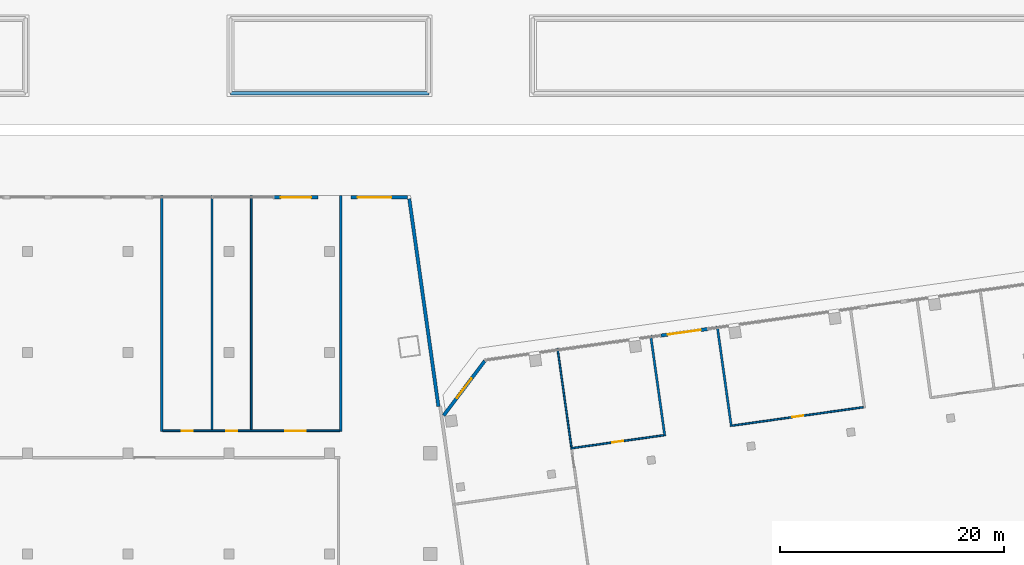
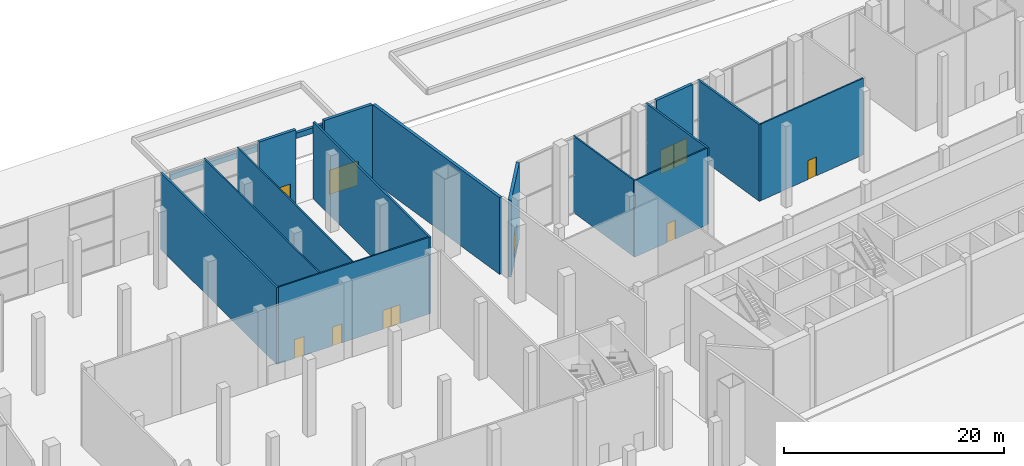
# One storey, part 26 of 34: 16 walls, 8 doors, 1 window, 9 openings.
"""IFC4 building model written with IfcOpenShell, lengths in metres."""

from ifc_helpers import new_model, si_unit, direction, frame, frame_2d, origin, place, context, subcontext, project, spatial, rectangle, extrude, material, layer, layer_set, type_object, element, fill, save


model = new_model("IFC4")

# Units and contexts
model_context = context("Model", 3, precision=1e-05, world=origin(), true_north=direction((0.0, 1.0)))
body_context = subcontext(model_context, "Body", "Model", "MODEL_VIEW")
ifc_project = project(units=[si_unit("LENGTHUNIT", "METRE"), si_unit("AREAUNIT", "SQUARE_METRE"), si_unit("VOLUMEUNIT", "CUBIC_METRE"), si_unit("PLANEANGLEUNIT", "RADIAN"), si_unit("MASSUNIT", "GRAM", prefix="KILO")], contexts=[model_context])

# Site, building, storey
site_placement = place(None, origin())
site = spatial("IfcSite", under=ifc_project, at=site_placement, CompositionType="ELEMENT")
building_placement = place(site_placement, origin())
building = spatial("IfcBuilding", under=site, at=building_placement, Name="Mirante Cascada Hotel Towers", CompositionType="ELEMENT")
storey_placement = place(building_placement, origin())
storey = spatial("IfcBuildingStorey", under=building, at=storey_placement, Name="L00", CompositionType="ELEMENT", Elevation=0.0)

# Wall, openings, doors
ifc_material_1 = material(Name="Masonry block", Category="masonry")
ifc_layer_1 = layer(ifc_material_1, 0.15)
ifc_layer_set_1 = layer_set([ifc_layer_1], Name="Corridor wall 150 block")
wall_type_1 = type_object("IfcWallType", Name="Corridor wall 150 block", PredefinedType="PARTITIONING", material=ifc_layer_set_1)
wall_1_placement = place(storey_placement, frame((3.09, 11.0, 0.0), z_axis=(0.0, 0.0, 1.0), x_axis=(1.0, 0.0, 0.0)))
wall_1 = element("IfcWall", 1, at=wall_1_placement, inside=storey, type_object=wall_type_1, Name="Corridor wall P L00", PredefinedType="PARTITIONING", context=body_context, shape_type="SweptSolid", body=[
    extrude(rectangle(XDim=15.82, YDim=0.15, at=frame_2d((7.91, 0.0))), origin(), (0.0, 0.0, 1.0), 8.5),
])
opening_1_placement = place(wall_1_placement, frame((1.705, 0.0, 0.0)))
opening_1 = element("IfcOpeningElement", 2, at=opening_1_placement, cuts=wall_1, Name="Opening DP-L00-17", PredefinedType="OPENING", context=body_context, shape_type="SweptSolid", body=[
    extrude(rectangle(XDim=1.0, YDim=2.1, at=frame_2d((0.5, 1.05))), frame((0.0, 0.075, 0.0), z_axis=(0.0, -1.0, 0.0), x_axis=(1.0, 0.0, 0.0)), (0.0, 0.0, 1.0), 0.15),
])
opening_2_placement = place(wall_1_placement, frame((5.66, 0.0, 0.0)))
opening_2 = element("IfcOpeningElement", 3, at=opening_2_placement, cuts=wall_1, Name="Opening DP-L00-18", PredefinedType="OPENING", context=body_context, shape_type="SweptSolid", body=[
    extrude(rectangle(XDim=1.0, YDim=2.1, at=frame_2d((0.5, 1.05))), frame((0.0, 0.075, 0.0), z_axis=(0.0, -1.0, 0.0), x_axis=(1.0, 0.0, 0.0)), (0.0, 0.0, 1.0), 0.15),
])
opening_3_placement = place(wall_1_placement, frame((10.965, 0.0, 0.0)))
opening_3 = element("IfcOpeningElement", 4, at=opening_3_placement, cuts=wall_1, Name="Opening DP-L00-19", PredefinedType="OPENING", context=body_context, shape_type="SweptSolid", body=[
    extrude(rectangle(XDim=1.8, YDim=2.1, at=frame_2d((0.9, 1.05))), frame((0.0, 0.075, 0.0), z_axis=(0.0, -1.0, 0.0), x_axis=(1.0, 0.0, 0.0)), (0.0, 0.0, 1.0), 0.15),
])
ifc_material_2 = material(Name="Timber door leaf", Category="wood")
door_type_1 = type_object("IfcDoorType", Name="Double door 1800x2100", OperationType="DOUBLE_DOOR_SINGLE_SWING", PredefinedType="DOOR", material=ifc_material_2)
door_1_placement = place(opening_3_placement, origin())
door_1 = element("IfcDoor", 5, at=door_1_placement, inside=storey, type_object=door_type_1, Name="Door DP-L00-19", OperationType="DOUBLE_DOOR_SINGLE_SWING", OverallHeight=2.1, OverallWidth=1.8, PredefinedType="DOOR", context=body_context, shape_type="SweptSolid", body=[
    extrude(rectangle(XDim=0.895, YDim=2.1, at=frame_2d((0.4475, 1.05))), frame((0.0, 0.025, 0.0), z_axis=(0.0, -1.0, 0.0), x_axis=(1.0, 0.0, 0.0)), (0.0, 0.0, 1.0), 0.05),
    extrude(rectangle(XDim=0.895, YDim=2.1, at=frame_2d((1.3525, 1.05))), frame((0.0, 0.025, 0.0), z_axis=(0.0, -1.0, 0.0), x_axis=(1.0, 0.0, 0.0)), (0.0, 0.0, 1.0), 0.05),
])
fill(opening_3, door_1)
ifc_material_3 = material(Name="Timber door leaf", Category="wood")
door_type_2 = type_object("IfcDoorType", Name="Single door 1000x2100", OperationType="NOTDEFINED", PredefinedType="DOOR", material=ifc_material_3)
door_2_placement = place(opening_1_placement, origin())
door_2 = element("IfcDoor", 6, at=door_2_placement, inside=storey, type_object=door_type_2, Name="Door DP-L00-17", OperationType="SINGLE_SWING_LEFT", OverallHeight=2.1, OverallWidth=1.0, PredefinedType="DOOR", context=body_context, shape_type="SweptSolid", body=[
    extrude(rectangle(XDim=1.0, YDim=2.1, at=frame_2d((0.5, 1.05))), frame((0.0, 0.025, 0.0), z_axis=(0.0, -1.0, 0.0), x_axis=(1.0, 0.0, 0.0)), (0.0, 0.0, 1.0), 0.05),
])
fill(opening_1, door_2)
door_3_placement = place(opening_2_placement, origin())
door_3 = element("IfcDoor", 7, at=door_3_placement, inside=storey, type_object=door_type_2, Name="Door DP-L00-18", OperationType="SINGLE_SWING_RIGHT", OverallHeight=2.1, OverallWidth=1.0, PredefinedType="DOOR", context=body_context, shape_type="SweptSolid", body=[
    extrude(rectangle(XDim=1.0, YDim=2.1, at=frame_2d((0.5, 1.05))), frame((0.0, 0.025, 0.0), z_axis=(0.0, -1.0, 0.0), x_axis=(1.0, 0.0, 0.0)), (0.0, 0.0, 1.0), 0.05),
])
fill(opening_2, door_3)

# Wall, opening, door
wall_2_placement = place(storey_placement, frame((39.526, 9.4371, 0.0), z_axis=(0.0, 0.0, 1.0), x_axis=(0.9902692, 0.1391653, 0.0)))
wall_2 = element("IfcWall", 8, at=wall_2_placement, inside=storey, type_object=wall_type_1, Name="Corridor wall T2 L00", PredefinedType="PARTITIONING", context=body_context, shape_type="SweptSolid", body=[
    extrude(rectangle(XDim=8.385, YDim=0.15, at=frame_2d((4.1925, 0.0))), origin(), (0.0, 0.0, 1.0), 8.5),
])
opening_4_placement = place(wall_2_placement, frame((3.73, 0.0, 0.0)))
opening_4 = element("IfcOpeningElement", 9, at=opening_4_placement, cuts=wall_2, Name="Opening DP2-L00-07", PredefinedType="OPENING", context=body_context, shape_type="SweptSolid", body=[
    extrude(rectangle(XDim=1.0, YDim=2.1, at=frame_2d((0.5, 1.05))), frame((0.0, 0.075, 0.0), z_axis=(0.0, -1.0, 0.0), x_axis=(1.0, 0.0, 0.0)), (0.0, 0.0, 1.0), 0.15),
])
door_4_placement = place(opening_4_placement, origin())
door_4 = element("IfcDoor", 10, at=door_4_placement, inside=storey, type_object=door_type_2, Name="Door DP2-L00-07", OperationType="SINGLE_SWING_LEFT", OverallHeight=2.1, OverallWidth=1.0, PredefinedType="DOOR", context=body_context, shape_type="SweptSolid", body=[
    extrude(rectangle(XDim=1.0, YDim=2.1, at=frame_2d((0.5, 1.05))), frame((0.0, 0.025, 0.0), z_axis=(0.0, -1.0, 0.0), x_axis=(1.0, 0.0, 0.0)), (0.0, 0.0, 1.0), 0.05),
])
fill(opening_4, door_4)

wall_3_placement = place(storey_placement, frame((53.9492, 11.4641, 0.0), z_axis=(0.0, 0.0, 1.0), x_axis=(0.9902684, 0.1391706, 0.0)))
wall_3 = element("IfcWall", 11, at=wall_3_placement, inside=storey, type_object=wall_type_1, Name="Corridor wall T2 L00", PredefinedType="PARTITIONING", context=body_context, shape_type="SweptSolid", body=[
    extrude(rectangle(XDim=11.82, YDim=0.15, at=frame_2d((5.91, 0.0))), origin(), (0.0, 0.0, 1.0), 8.5),
])
opening_5_placement = place(wall_3_placement, frame((5.41, 0.0, 0.0)))
opening_5 = element("IfcOpeningElement", 12, at=opening_5_placement, cuts=wall_3, Name="Opening DP2-L00-08", PredefinedType="OPENING", context=body_context, shape_type="SweptSolid", body=[
    extrude(rectangle(XDim=1.0, YDim=2.1, at=frame_2d((0.5, 1.05))), frame((0.0, 0.075, 0.0), z_axis=(0.0, -1.0, 0.0), x_axis=(1.0, 0.0, 0.0)), (0.0, 0.0, 1.0), 0.15),
])
door_5_placement = place(opening_5_placement, frame((1.0, 0.0, 0.0), z_axis=(0.0, 0.0, 1.0), x_axis=(-1.0, 0.0, 0.0)))
door_5 = element("IfcDoor", 13, at=door_5_placement, inside=storey, type_object=door_type_2, Name="Door DP2-L00-08", OperationType="SINGLE_SWING_RIGHT", OverallHeight=2.1, OverallWidth=1.0, PredefinedType="DOOR", context=body_context, shape_type="SweptSolid", body=[
    extrude(rectangle(XDim=1.0, YDim=2.1, at=frame_2d((0.5, 1.05))), frame((0.0, 0.025, 0.0), z_axis=(0.0, -1.0, 0.0), x_axis=(1.0, 0.0, 0.0)), (0.0, 0.0, 1.0), 0.05),
])
fill(opening_5, door_5)

# Walls
ifc_material_4 = material(Name="Masonry block", Category="masonry")
ifc_layer_2 = layer(ifc_material_4, 0.2)
ifc_layer_set_2 = layer_set([ifc_layer_2], Name="Hall wall 200 block")
wall_type_2 = type_object("IfcWallType", Name="Hall wall 200 block", PredefinedType="PARTITIONING", material=ifc_layer_set_2)
for number, where, z_axis, x_axis, name in (
    (14, (19.0, 10.925, 0.0), (0.0, 0.0, 1.0), (0.0, 1.0, 0.0), "Hall wall P L00"),
    (15, (3.0, 10.925, 0.0), (0.0, 0.0, 1.0), (0.0, 1.0, 0.0), "Hall wall P L00"),
):
    element("IfcWall", number, at=place(storey_placement, frame(where, z_axis=z_axis, x_axis=x_axis)), inside=storey, type_object=wall_type_2, Name=name, PredefinedType="PARTITIONING", context=body_context, shape_type="SweptSolid", body=[
        extrude(rectangle(XDim=21.075, YDim=0.2, at=frame_2d((10.5375, 0.0))), origin(), (0.0, 0.0, 1.0), 8.5),
    ])
for number, where, z_axis, x_axis, name in (
    (16, (46.6659, 19.529, 0.0), (0.0, 0.0, 1.0), (0.1391733, -0.990268, 0.0), "Hall wall T2 L00"),
    (17, (52.6075, 20.364, 0.0), (0.0, 0.0, 1.0), (0.1391733, -0.990268, 0.0), "Hall wall T2 L00"),
):
    element("IfcWall", number, at=place(storey_placement, frame(where, z_axis=z_axis, x_axis=x_axis)), inside=storey, type_object=wall_type_2, Name=name, PredefinedType="PARTITIONING", context=body_context, shape_type="SweptSolid", body=[
        extrude(rectangle(XDim=9.075, YDim=0.2, at=frame_2d((4.5375, 0.0))), origin(), (0.0, 0.0, 1.0), 8.5),
    ])
ifc_material_5 = material(Name="Masonry block", Category="masonry")
ifc_layer_3 = layer(ifc_material_5, 0.15)
ifc_layer_set_3 = layer_set([ifc_layer_3], Name="Partition 150 block")
wall_type_3 = type_object("IfcWallType", Name="Partition 150 block", PredefinedType="PARTITIONING", material=ifc_layer_set_3)
for number, where, z_axis, x_axis, name in (
    (18, (11.0, 11.075, 0.0), (0.0, 0.0, 1.0), (0.0, 1.0, 0.0), "Partition P L00"),
    (19, (7.5, 11.075, 0.0), (0.0, 0.0, 1.0), (0.0, 1.0, 0.0), "Partition P L00"),
):
    element("IfcWall", number, at=place(storey_placement, frame(where, z_axis=z_axis, x_axis=x_axis)), inside=storey, type_object=wall_type_3, Name=name, PredefinedType="PARTITIONING", context=body_context, shape_type="SweptSolid", body=[
        extrude(rectangle(XDim=20.925, YDim=0.15, at=frame_2d((10.4625, 0.0))), origin(), (0.0, 0.0, 1.0), 8.5),
    ])
wall_4_placement = place(storey_placement, frame((38.3477, 18.3599, 0.0), z_axis=(0.0, 0.0, 1.0), x_axis=(0.1391725, -0.9902682, 0.0)))
element("IfcWall", 20, at=wall_4_placement, inside=storey, type_object=wall_type_3, Name="Partition T2 L00", PredefinedType="PARTITIONING", context=body_context, shape_type="SweptSolid", body=[
    extrude(rectangle(XDim=8.935, YDim=0.15, at=frame_2d((4.4675, 0.0))), origin(), (0.0, 0.0, 1.0), 8.5),
])
ifc_material_6 = material(Name="Concrete C25/30", Category="concrete")
ifc_layer_4 = layer(ifc_material_6, 0.3)
ifc_layer_set_4 = layer_set([ifc_layer_4], Name="Planter kerb wall 300 concrete C25/30")
wall_type_4 = type_object("IfcWallType", Name="Planter kerb wall 300 concrete C25/30", PredefinedType="PARAPET", material=ifc_layer_set_4)
wall_5_placement = place(storey_placement, frame((9.15, 41.15, 0.0), z_axis=(0.0, 0.0, 1.0), x_axis=(1.0, 0.0, 0.0)))
element("IfcWall", 21, at=wall_5_placement, inside=storey, type_object=wall_type_4, Name="PLANTER garden court bed 3", PredefinedType="PARAPET", context=body_context, shape_type="SweptSolid", body=[
    extrude(rectangle(XDim=17.7, YDim=0.3, at=frame_2d((8.85, 0.0))), origin(), (0.0, 0.0, 1.0), 0.6),
])

# Wall, opening, door
ifc_material_7 = material(Name="Precast concrete C40/50", Category="concrete")
ifc_layer_5 = layer(ifc_material_7, 0.3)
ifc_layer_set_5 = layer_set([ifc_layer_5], Name="Precast concrete C40/50 cladding wall 300")
wall_type_5 = type_object("IfcWallType", Name="Precast concrete C40/50 cladding wall 300", PredefinedType="STANDARD", material=ifc_layer_set_5)
wall_6_placement = place(storey_placement, frame((51.7372, 20.0902, 0.0), z_axis=(0.0, 0.0, 1.0), x_axis=(-0.9902688, -0.1391676, 0.0)))
wall_6 = element("IfcWall", 22, at=wall_6_placement, inside=storey, type_object=wall_type_5, Name="Entrance pier wall L00 T2:L00:front:6", PredefinedType="STANDARD", context=body_context, shape_type="SweptSolid", body=[
    extrude(rectangle(XDim=4.2, YDim=0.3, at=frame_2d((2.1, 0.0))), origin(), (0.0, 0.0, 1.0), 8.5),
])
opening_6_placement = place(wall_6_placement, frame((0.6, 0.0, 0.0)))
opening_6 = element("IfcOpeningElement", 23, at=opening_6_placement, cuts=wall_6, Name="Opening DP-00-96", PredefinedType="OPENING", context=body_context, shape_type="SweptSolid", body=[
    extrude(rectangle(XDim=3.0, YDim=2.7, at=frame_2d((1.5, 1.35))), frame((0.0, 0.15, 0.0), z_axis=(0.0, -1.0, 0.0), x_axis=(1.0, 0.0, 0.0)), (0.0, 0.0, 1.0), 0.3),
])
ifc_material_8 = material(Name="Aluminium frame with clear laminated glazing", Category="aluminium")
door_type_3 = type_object("IfcDoorType", Name="Exit double door 3000x2700", OperationType="DOUBLE_DOOR_SINGLE_SWING", PredefinedType="DOOR", material=ifc_material_8)
door_6_placement = place(opening_6_placement, frame((3.0, 0.0, 0.0), z_axis=(0.0, 0.0, 1.0), x_axis=(-1.0, 0.0, 0.0)))
door_6 = element("IfcDoor", 24, at=door_6_placement, inside=storey, type_object=door_type_3, Name="Exit door DP-00-96", OperationType="DOUBLE_DOOR_SINGLE_SWING", OverallHeight=2.7, OverallWidth=3.0, PredefinedType="DOOR", context=body_context, shape_type="SweptSolid", body=[
    extrude(rectangle(XDim=1.495, YDim=2.7, at=frame_2d((0.7475, 1.35))), frame((0.0, 0.025, 0.0), z_axis=(0.0, -1.0, 0.0), x_axis=(1.0, 0.0, 0.0)), (0.0, 0.0, 1.0), 0.05),
    extrude(rectangle(XDim=1.495, YDim=2.7, at=frame_2d((2.2525, 1.35))), frame((0.0, 0.025, 0.0), z_axis=(0.0, -1.0, 0.0), x_axis=(1.0, 0.0, 0.0)), (0.0, 0.0, 1.0), 0.05),
])
fill(opening_6, door_6)

# Wall, opening, window
wall_7_placement = place(storey_placement, frame((31.857, 17.252, 0.0), z_axis=(0.0, 0.0, 1.0), x_axis=(-0.6018141, -0.7986362, 0.0)))
wall_7 = element("IfcWall", 25, at=wall_7_placement, inside=storey, type_object=wall_type_5, Name="Corner cladding wall T2 L00 front inner", PredefinedType="STANDARD", context=body_context, shape_type="SweptSolid", body=[
    extrude(rectangle(XDim=6.1157, YDim=0.3, at=frame_2d((3.0578, 0.0))), origin(), (0.0, 0.0, 1.0), 8.5),
])
opening_7_placement = place(wall_7_placement, frame((1.9578, 0.0, 0.6)))
opening_7 = element("IfcOpeningElement", 26, at=opening_7_placement, cuts=wall_7, Name="Opening W2-00-04", PredefinedType="OPENING", context=body_context, shape_type="SweptSolid", body=[
    extrude(rectangle(XDim=2.2, YDim=2.4, at=frame_2d((1.1, 1.2))), frame((0.0, 0.15, 0.0), z_axis=(0.0, -1.0, 0.0), x_axis=(1.0, 0.0, 0.0)), (0.0, 0.0, 1.0), 0.3),
])
ifc_material_9 = material(Name="Aluminium frame with clear double glazing", Category="aluminium")
window_type = type_object("IfcWindowType", Name="Corner suite window 2200x2400", PartitioningType="DOUBLE_PANEL_VERTICAL", PredefinedType="WINDOW", material=ifc_material_9)
window_placement = place(opening_7_placement, origin())
window = element("IfcWindow", 27, at=window_placement, inside=storey, type_object=window_type, Name="Window W2-00-04", OverallHeight=2.4, OverallWidth=2.2, PartitioningType="SINGLE_PANEL", PredefinedType="WINDOW", context=body_context, shape_type="SweptSolid", body=[
    extrude(rectangle(XDim=2.2, YDim=2.4, at=frame_2d((1.1, 1.2))), frame((0.0, 0.03, 0.0), z_axis=(0.0, -1.0, 0.0), x_axis=(1.0, 0.0, 0.0)), (0.0, 0.0, 1.0), 0.06),
])
fill(opening_7, window)

# Wall
wall_8_placement = place(storey_placement, frame((27.7154, 13.1783, 0.0), z_axis=(0.0, 0.0, 1.0), x_axis=(-0.1391735, 0.990268, 0.0)))
element("IfcWall", 28, at=wall_8_placement, inside=storey, type_object=wall_type_5, Name="Podium cladding wall L00 P:L00:3", PredefinedType="STANDARD", context=body_context, shape_type="SweptSolid", body=[
    extrude(rectangle(XDim=18.7248, YDim=0.3, at=frame_2d((9.3624, 0.0))), origin(), (0.0, 0.0, 1.0), 8.5),
])

# Wall, opening, door
wall_9_placement = place(storey_placement, frame((24.9609, 31.85, 0.0), z_axis=(0.0, 0.0, 1.0), x_axis=(-1.0, 0.0, 0.0)))
wall_9 = element("IfcWall", 29, at=wall_9_placement, inside=storey, type_object=wall_type_5, Name="Entrance pier wall L00 P:L00:4:1", PredefinedType="STANDARD", context=body_context, shape_type="SweptSolid", body=[
    extrude(rectangle(XDim=5.0609, YDim=0.3, at=frame_2d((2.5304, 0.0))), origin(), (0.0, 0.0, 1.0), 8.5),
])
opening_8_placement = place(wall_9_placement, frame((1.4609, 0.0, 0.0)))
opening_8 = element("IfcOpeningElement", 30, at=opening_8_placement, cuts=wall_9, Name="Opening DP-00-98", PredefinedType="OPENING", context=body_context, shape_type="SweptSolid", body=[
    extrude(rectangle(XDim=3.0, YDim=2.7, at=frame_2d((1.5, 1.35))), frame((0.0, 0.15, 0.0), z_axis=(0.0, -1.0, 0.0), x_axis=(1.0, 0.0, 0.0)), (0.0, 0.0, 1.0), 0.3),
])
door_7_placement = place(opening_8_placement, frame((3.0, 0.0, 0.0), z_axis=(0.0, 0.0, 1.0), x_axis=(-1.0, 0.0, 0.0)))
door_7 = element("IfcDoor", 31, at=door_7_placement, inside=storey, type_object=door_type_3, Name="Exit door DP-00-98", OperationType="DOUBLE_DOOR_SINGLE_SWING", OverallHeight=2.7, OverallWidth=3.0, PredefinedType="DOOR", context=body_context, shape_type="SweptSolid", body=[
    extrude(rectangle(XDim=1.495, YDim=2.7, at=frame_2d((0.7475, 1.35))), frame((0.0, 0.025, 0.0), z_axis=(0.0, -1.0, 0.0), x_axis=(1.0, 0.0, 0.0)), (0.0, 0.0, 1.0), 0.05),
    extrude(rectangle(XDim=1.495, YDim=2.7, at=frame_2d((2.2525, 1.35))), frame((0.0, 0.025, 0.0), z_axis=(0.0, -1.0, 0.0), x_axis=(1.0, 0.0, 0.0)), (0.0, 0.0, 1.0), 0.05),
])
fill(opening_8, door_7)

wall_10_placement = place(storey_placement, frame((16.95, 31.85, 0.0), z_axis=(0.0, 0.0, 1.0), x_axis=(-1.0, 0.0, 0.0)))
wall_10 = element("IfcWall", 32, at=wall_10_placement, inside=storey, type_object=wall_type_5, Name="Entrance pier wall L00 P:L00:4:2", PredefinedType="STANDARD", context=body_context, shape_type="SweptSolid", body=[
    extrude(rectangle(XDim=3.9, YDim=0.3, at=frame_2d((1.95, 0.0))), origin(), (0.0, 0.0, 1.0), 8.5),
])
opening_9_placement = place(wall_10_placement, frame((0.6, 0.0, 0.0)))
opening_9 = element("IfcOpeningElement", 33, at=opening_9_placement, cuts=wall_10, Name="Opening DP-00-99", PredefinedType="OPENING", context=body_context, shape_type="SweptSolid", body=[
    extrude(rectangle(XDim=2.7, YDim=2.7, at=frame_2d((1.35, 1.35))), frame((0.0, 0.15, 0.0), z_axis=(0.0, -1.0, 0.0), x_axis=(1.0, 0.0, 0.0)), (0.0, 0.0, 1.0), 0.3),
])
ifc_material_10 = material(Name="Aluminium frame with clear laminated glazing", Category="aluminium")
door_type_4 = type_object("IfcDoorType", Name="Entrance double door 2700x2700", OperationType="DOUBLE_DOOR_SINGLE_SWING", PredefinedType="DOOR", material=ifc_material_10)
door_8_placement = place(opening_9_placement, frame((2.7, 0.0, 0.0), z_axis=(0.0, 0.0, 1.0), x_axis=(-1.0, 0.0, 0.0)))
door_8 = element("IfcDoor", 34, at=door_8_placement, inside=storey, type_object=door_type_4, Name="Garden cafe door DP-00-99", OperationType="DOUBLE_DOOR_SINGLE_SWING", OverallHeight=2.7, OverallWidth=2.7, PredefinedType="DOOR", context=body_context, shape_type="SweptSolid", body=[
    extrude(rectangle(XDim=1.345, YDim=2.7, at=frame_2d((0.6725, 1.35))), frame((0.0, 0.025, 0.0), z_axis=(0.0, -1.0, 0.0), x_axis=(1.0, 0.0, 0.0)), (0.0, 0.0, 1.0), 0.05),
    extrude(rectangle(XDim=1.345, YDim=2.7, at=frame_2d((2.0275, 1.35))), frame((0.0, 0.025, 0.0), z_axis=(0.0, -1.0, 0.0), x_axis=(1.0, 0.0, 0.0)), (0.0, 0.0, 1.0), 0.05),
])
fill(opening_9, door_8)

save(model, "model.ifc")
